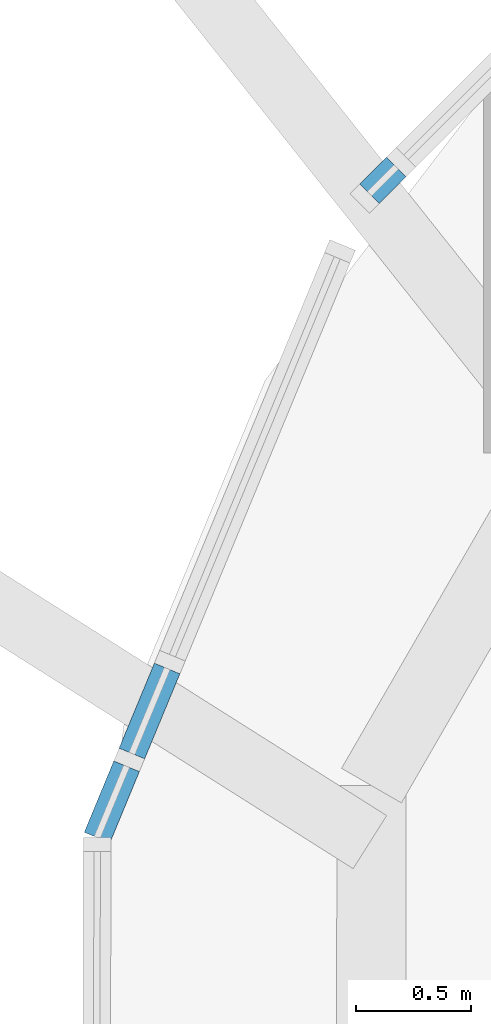
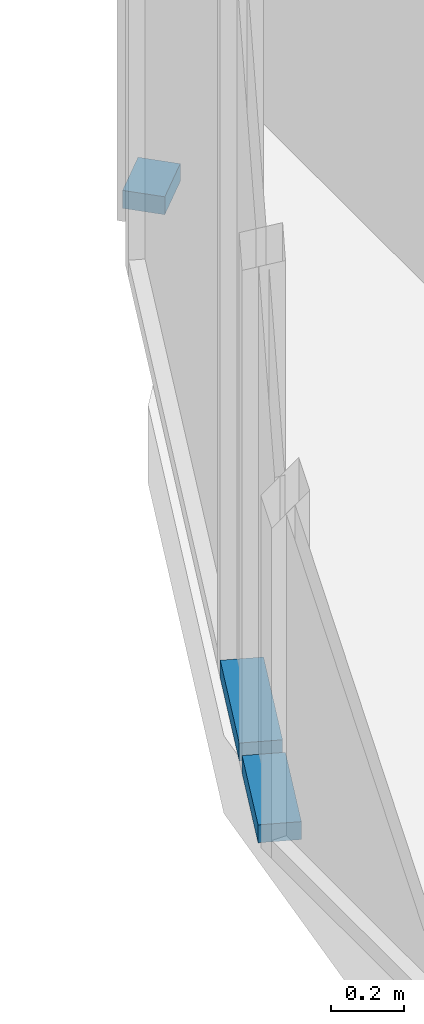
# One storey, part 17 of 36: 3 members, 3 elements without a shape of their own.
"""IFC4 building model written with IfcOpenShell, lengths in metres."""

from ifc_helpers import new_model, si_unit, direction, frame, origin, origin_2d, place, context, subcontext, project, spatial, rectangle, extrude, material, layer, layer_set, material_profile, profile_set, type_object, element, aggregate, save


model = new_model("IFC4")

# Units and contexts
model_context = context("Model", 3, precision=1e-05, world=origin(), true_north=direction((0.0, 1.0)))
body_context = subcontext(model_context, "Body", "Model", "MODEL_VIEW")
ifc_project = project(units=[si_unit("LENGTHUNIT", "METRE"), si_unit("AREAUNIT", "SQUARE_METRE"), si_unit("VOLUMEUNIT", "CUBIC_METRE"), si_unit("PLANEANGLEUNIT", "RADIAN"), si_unit("MASSUNIT", "GRAM", prefix="KILO")], contexts=[model_context])

# Site, building, storey
site_placement = place(None, origin())
site = spatial("IfcSite", under=ifc_project, at=site_placement, CompositionType="ELEMENT")
building_placement = place(site_placement, origin())
building = spatial("IfcBuilding", under=site, at=building_placement, Name="Marenta Gate Hotel Tower", CompositionType="ELEMENT")
storey_placement = place(building_placement, frame((0.0, 0.0, 144.5)))
storey = spatial("IfcBuildingStorey", under=building, at=storey_placement, Name="L33", CompositionType="ELEMENT", Elevation=144.5)

# Curtain wall, member
ifc_material_1 = material(Name="Tinted insulated glass in bronze anodised frame", Category="glass")
ifc_layer = layer(ifc_material_1, 0.1201171875)
ifc_layer_set = layer_set([ifc_layer], Name="Tinted insulated glass in bronze anodised frame")
curtain_wall_type = type_object("IfcCurtainWallType", Name="Tower unitised curtain wall CW1", PredefinedType="NOTDEFINED", material=ifc_layer_set)
curtain_wall_1_placement = place(storey_placement, origin())
curtain_wall_1 = element("IfcCurtainWall", 1, at=curtain_wall_1_placement, inside=storey, type_object=curtain_wall_type, Name="CW1 run G02", PredefinedType="NOTDEFINED")
ifc_material_2 = material(Name="Bronze anodised aluminium", Category="aluminium")
ifc_material_profile = material_profile(ifc_material_2, rectangle(XDim=0.1201171875, YDim=0.06005859375, at=origin_2d()), Name="Transom CW1 60x120 bronze anodised aluminium")
ifc_profile_set = profile_set([ifc_material_profile], Name="Bronze anodised aluminium")
member_type = type_object("IfcMemberType", Name="Transom CW1 60x120 bronze anodised aluminium", PredefinedType="USERDEFINED", material=ifc_profile_set)
member_1_placement = place(storey_placement, frame((-26.013671875, 25.977294921875, 0.030029296875), z_axis=(-0.706364412476, -0.707848371325, 0.0), x_axis=(0.707848371325, -0.706364412476, 0.0)))
member_1 = element("IfcMember", 2, at=member_1_placement, type_object=member_type, Name="CW1 transom 1.1", ObjectType="TRANSOM", PredefinedType="USERDEFINED", context=body_context, shape_type="SweptSolid", body=[
    extrude(rectangle(XDim=0.1201171875, YDim=0.06005859375, at=origin_2d()), origin(), (0.0, 0.0, 1.0), 0.16455078125),
])
aggregate(curtain_wall_1, [member_1])

curtain_wall_2_placement = place(storey_placement, origin())
curtain_wall_2 = element("IfcCurtainWall", 3, at=curtain_wall_2_placement, inside=storey, type_object=curtain_wall_type, Name="CW1 run G04", PredefinedType="NOTDEFINED")
member_2_placement = place(storey_placement, frame((-27.00830078125, 23.80029296875, 0.030029296875), z_axis=(-0.382837108959, -0.923815862607, 0.0), x_axis=(0.923815862607, -0.382837108959, 0.0)))
member_2 = element("IfcMember", 4, at=member_2_placement, type_object=member_type, Name="CW1 transom 1.1", ObjectType="TRANSOM", PredefinedType="USERDEFINED", context=body_context, shape_type="SweptSolid", body=[
    extrude(rectangle(XDim=0.1201171875, YDim=0.06005859375, at=origin_2d()), origin(), (0.0, 0.0, 1.0), 0.39990234375),
])
aggregate(curtain_wall_2, [member_2])

curtain_wall_3_placement = place(storey_placement, origin())
curtain_wall_3 = element("IfcCurtainWall", 5, at=curtain_wall_3_placement, inside=storey, type_object=curtain_wall_type, Name="CW1 run G05", PredefinedType="NOTDEFINED")
member_3_placement = place(storey_placement, frame((-27.184326171875, 23.37548828125, 0.030029296875), z_axis=(-0.382179999859, -0.924087900423, 0.0), x_axis=(0.924087900423, -0.382179999859, 0.0)))
member_3 = element("IfcMember", 6, at=member_3_placement, type_object=member_type, Name="CW1 transom 1.1", ObjectType="TRANSOM", PredefinedType="USERDEFINED", context=body_context, shape_type="SweptSolid", body=[
    extrude(rectangle(XDim=0.1201171875, YDim=0.06005859375, at=origin_2d()), origin(), (0.0, 0.0, 1.0), 0.334716796875),
])
aggregate(curtain_wall_3, [member_3])

save(model, "model.ifc")
